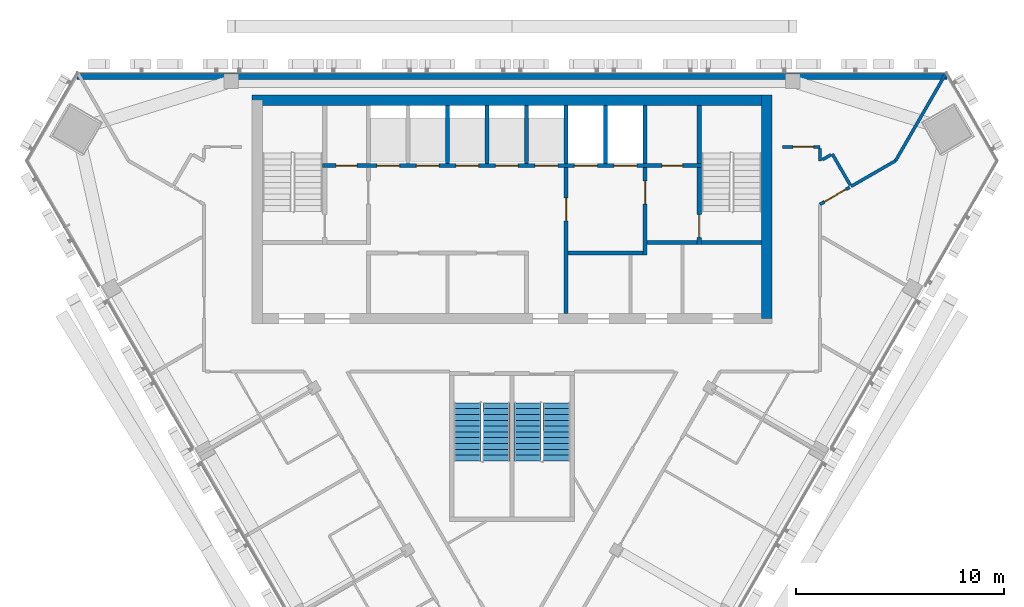
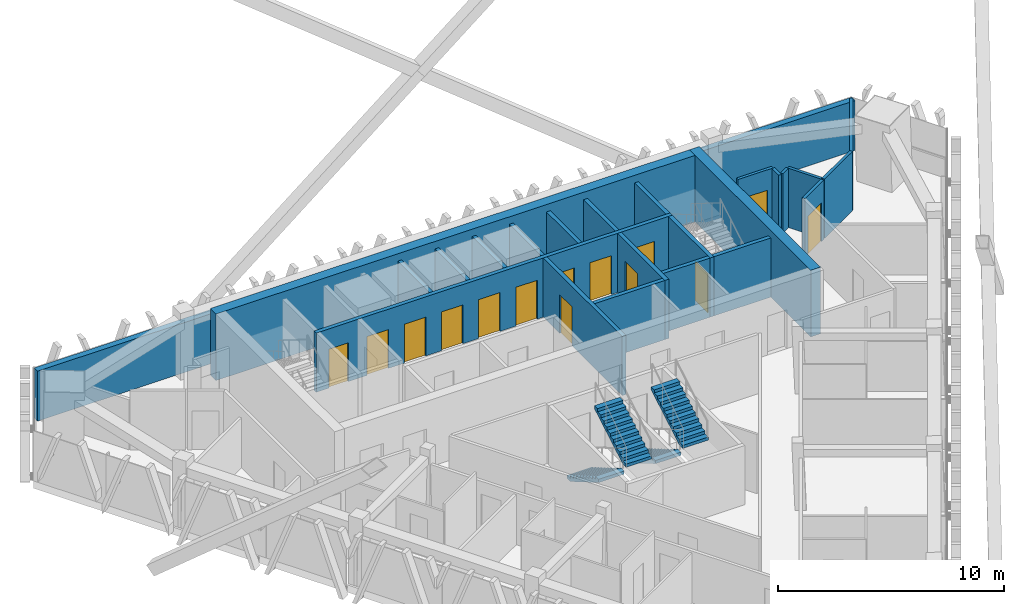
# One storey, part 10 of 14: 24 walls, 14 doors, 4 stair flights, 14 openings, 2 elements without a shape of their own.
"""IFC4 building model written with IfcOpenShell, lengths in metres."""

from ifc_helpers import new_model, si_unit, direction, frame, frame_2d, origin, place, context, subcontext, project, spatial, polyline, rectangle, outline, extrude, material, layer, layer_set, type_object, element, fill, aggregate, save


model = new_model("IFC4")

# Units and contexts
model_context = context("Model", 3, precision=1e-05, world=origin(), true_north=direction((0.0, 1.0)))
body_context = subcontext(model_context, "Body", "Model", "MODEL_VIEW")
ifc_project = project(units=[si_unit("LENGTHUNIT", "METRE"), si_unit("AREAUNIT", "SQUARE_METRE"), si_unit("VOLUMEUNIT", "CUBIC_METRE"), si_unit("PLANEANGLEUNIT", "RADIAN"), si_unit("MASSUNIT", "GRAM", prefix="KILO")], contexts=[model_context])

# Site, building, storey
site_placement = place(None, origin())
site = spatial("IfcSite", under=ifc_project, at=site_placement, CompositionType="ELEMENT")
building_placement = place(site_placement, origin())
building = spatial("IfcBuilding", under=site, at=building_placement, Name="Altiplano Prism Tower", CompositionType="ELEMENT")
storey_placement = place(building_placement, frame((0.0, 0.0, 264.39990234375)))
storey = spatial("IfcBuildingStorey", under=building, at=storey_placement, Name="L68", CompositionType="ELEMENT", Elevation=264.39990234375)

# Walls
ifc_material_1 = material(Name="Concrete C60/75", Category="concrete")
ifc_layer_1 = layer(ifc_material_1, 0.5)
ifc_layer_set_1 = layer_set([ifc_layer_1], Name="Concrete C60/75")
wall_type_1 = type_object("IfcWallType", Name="Core wall 500", PredefinedType="SHEAR", material=ifc_layer_set_1)
wall_1_placement = place(storey_placement, frame((97.25, 93.14990234375, 0.0), z_axis=(0.0, 0.0, 1.0), x_axis=(0.0, 1.0, 0.0)))
element("IfcWall", 1, at=wall_1_placement, inside=storey, type_object=wall_type_1, Name="Core wall E L68", PredefinedType="SHEAR", context=body_context, shape_type="SweptSolid", body=[
    extrude(rectangle(XDim=10.75, YDim=0.5, at=frame_2d((5.375, 0.0))), origin(), (0.0, 0.0, 1.0), 3.60009765625),
])
wall_2_placement = place(storey_placement, frame((97.25, 103.64990234375, 0.0), z_axis=(0.0, 0.0, 1.0), x_axis=(-1.0, 0.0, 0.0)))
element("IfcWall", 2, at=wall_2_placement, inside=storey, type_object=wall_type_1, Name="Core wall N L68", PredefinedType="SHEAR", context=body_context, shape_type="SweptSolid", body=[
    extrude(rectangle(XDim=24.75, YDim=0.5, at=frame_2d((12.375, 0.0))), origin(), (0.0, 0.0, 1.0), 3.60009765625),
])

# Wall, opening, door
ifc_material_2 = material(Name="Plasterboard on steel stud", Category="steel")
ifc_layer_2 = layer(ifc_material_2, 0.14990234375)
ifc_layer_set_2 = layer_set([ifc_layer_2], Name="Plasterboard on steel stud")
wall_type_2 = type_object("IfcWallType", Name="Partition 150 corridor", PredefinedType="PARTITIONING", material=ifc_layer_set_2)
wall_3_placement = place(storey_placement, frame((99.800048828125, 98.6357421875, 0.0), z_axis=(0.0, 0.0, 1.0), x_axis=(0.866072496716, 0.499918423778, 0.0)))
wall_3 = element("IfcWall", 3, at=wall_3_placement, inside=storey, type_object=wall_type_2, Name="Partition P06 L68 012", PredefinedType="PARTITIONING", context=body_context, shape_type="SweptSolid", body=[
    extrude(rectangle(XDim=1.653564453125, YDim=0.14990234375, at=frame_2d((0.82666015625, 0.0))), origin(), (0.0, 0.0, 1.0), 3.2001953125),
])
opening_1_placement = place(wall_3_placement, frame((0.25390625, 0.0, 0.0)))
opening_1 = element("IfcOpeningElement", 4, at=opening_1_placement, cuts=wall_3, Name="Opening D2176", PredefinedType="OPENING", context=body_context, shape_type="SweptSolid", body=[
    extrude(rectangle(XDim=1.199951171875, YDim=2.10009765625, at=frame_2d((0.60009765625, 1.050048828125))), frame((0.0, 0.08544921875, 0.0), z_axis=(0.0, -1.0, 0.0), x_axis=(1.0, 0.0, 0.0)), (0.0, 0.0, 1.0), 0.1708984375),
])
ifc_material_3 = material(Name="Timber", Category="wood")
door_type_1 = type_object("IfcDoorType", Name="Shared room door 1200 x 2100", OperationType="NOTDEFINED", PredefinedType="NOTDEFINED", material=ifc_material_3)
door_1_placement = place(opening_1_placement, origin())
door_1 = element("IfcDoor", 5, at=door_1_placement, inside=storey, type_object=door_type_1, Name="Door D2176", OperationType="SINGLE_SWING_RIGHT", OverallHeight=2.10009765625, OverallWidth=1.199951171875, PredefinedType="NOTDEFINED", context=body_context, shape_type="SweptSolid", body=[
    extrude(rectangle(XDim=1.199951171875, YDim=2.10009765625, at=frame_2d((0.60009765625, 1.050048828125))), frame((0.0, 0.02490234375, 0.0), z_axis=(0.0, -1.0, 0.0), x_axis=(1.0, 0.0, 0.0)), (0.0, 0.0, 1.0), 0.050048828125),
])
fill(opening_1, door_1)

# Walls
wall_4_placement = place(storey_placement, frame((101.259521484375, 99.56494140625, 0.0), z_axis=(0.0, 0.0, 1.0), x_axis=(-0.500020560727, 0.866013532718, 0.0)))
element("IfcWall", 6, at=wall_4_placement, inside=storey, type_object=wall_type_2, Name="Partition P06 L68 017", PredefinedType="PARTITIONING", context=body_context, shape_type="SweptSolid", body=[
    extrude(rectangle(XDim=1.72509765625, YDim=0.14990234375, at=frame_2d((0.862548828125, 0.0))), origin(), (0.0, 0.0, 1.0), 3.2001953125),
])
wall_5_placement = place(storey_placement, frame((100.33203125, 101.021240234375, 0.0), z_axis=(0.0, 0.0, 1.0), x_axis=(-0.866000904559, -0.500042431503, 0.0)))
element("IfcWall", 7, at=wall_5_placement, inside=storey, type_object=wall_type_2, Name="Partition P06 L68 018", PredefinedType="PARTITIONING", context=body_context, shape_type="SweptSolid", body=[
    extrude(rectangle(XDim=0.484375, YDim=0.14990234375, at=frame_2d((0.2421875, 0.0))), origin(), (0.0, 0.0, 1.0), 3.2001953125),
])
wall_6_placement = place(storey_placement, frame((99.800048828125, 100.714111328125, 0.0), z_axis=(0.0, 0.0, 1.0), x_axis=(0.0, 1.0, 0.0)))
element("IfcWall", 8, at=wall_6_placement, inside=storey, type_object=wall_type_2, Name="Partition P06 L68 019", PredefinedType="PARTITIONING", context=body_context, shape_type="SweptSolid", body=[
    extrude(rectangle(XDim=0.61083984375, YDim=0.14990234375, at=frame_2d((0.305419921875, 0.0))), origin(), (0.0, 0.0, 1.0), 3.2001953125),
])

# Wall, opening, door
wall_7_placement = place(storey_placement, frame((99.800048828125, 101.39990234375, 0.0), z_axis=(0.0, 0.0, 1.0), x_axis=(-1.0, 0.0, 0.0)))
wall_7 = element("IfcWall", 9, at=wall_7_placement, inside=storey, type_object=wall_type_2, Name="Partition P06 L68 020", PredefinedType="PARTITIONING", context=body_context, shape_type="SweptSolid", body=[
    extrude(rectangle(XDim=1.800048828125, YDim=0.14990234375, at=frame_2d((0.89990234375, 0.0))), origin(), (0.0, 0.0, 1.0), 3.2001953125),
])
opening_2_placement = place(wall_7_placement, frame((0.297119140625, 0.0, 0.0)))
opening_2 = element("IfcOpeningElement", 10, at=opening_2_placement, cuts=wall_7, Name="Opening D2178", PredefinedType="OPENING", context=body_context, shape_type="SweptSolid", body=[
    extrude(rectangle(XDim=1.0, YDim=2.10009765625, at=frame_2d((0.5, 1.050048828125))), frame((0.0, 0.08544921875, 0.0), z_axis=(0.0, -1.0, 0.0), x_axis=(1.0, 0.0, 0.0)), (0.0, 0.0, 1.0), 0.1708984375),
])
door_type_2 = type_object("IfcDoorType", Name="Room door 1000 x 2100", OperationType="NOTDEFINED", PredefinedType="NOTDEFINED", material=ifc_material_3)
door_2_placement = place(opening_2_placement, origin())
door_2 = element("IfcDoor", 11, at=door_2_placement, inside=storey, type_object=door_type_2, Name="Door D2178", OperationType="SINGLE_SWING_RIGHT", OverallHeight=2.10009765625, OverallWidth=1.0, PredefinedType="NOTDEFINED", context=body_context, shape_type="SweptSolid", body=[
    extrude(rectangle(XDim=1.0, YDim=2.10009765625, at=frame_2d((0.5, 1.050048828125))), frame((0.0, 0.02490234375, 0.0), z_axis=(0.0, -1.0, 0.0), x_axis=(1.0, 0.0, 0.0)), (0.0, 0.0, 1.0), 0.050048828125),
])
fill(opening_2, door_2)

# Walls
ifc_layer_3 = layer(ifc_material_2, 0.14990234375)
ifc_layer_set_3 = layer_set([ifc_layer_3], Name="Plasterboard on steel stud")
wall_type_3 = type_object("IfcWallType", Name="Partition 150 party", PredefinedType="PARTITIONING", material=ifc_layer_set_3)
wall_8_placement = place(storey_placement, frame((105.84130859375, 104.89990234375, 0.0), z_axis=(0.0, 0.0, 1.0), x_axis=(-0.499983211839, -0.866035096217, 0.0)))
element("IfcWall", 12, at=wall_8_placement, inside=storey, type_object=wall_type_3, Name="Partition P01 L68 051", PredefinedType="PARTITIONING", context=body_context, shape_type="SweptSolid", body=[
    extrude(rectangle(XDim=4.808837890625, YDim=0.14990234375, at=frame_2d((2.404296875, 0.0))), origin(), (0.0, 0.0, 1.0), 2.7001953125),
])
wall_9_placement = place(storey_placement, frame((103.43701171875, 100.7353515625, 0.0), z_axis=(0.0, 0.0, 1.0), x_axis=(-0.866045730533, -0.499964791386, 0.0)))
element("IfcWall", 13, at=wall_9_placement, inside=storey, type_object=wall_type_3, Name="Partition P01 L68 052", PredefinedType="PARTITIONING", context=body_context, shape_type="SweptSolid", body=[
    extrude(rectangle(XDim=2.470947265625, YDim=0.14990234375, at=frame_2d((1.2353515625, 0.0))), origin(), (0.0, 0.0, 1.0), 3.2001953125),
])
ifc_layer_4 = layer(ifc_material_1, 0.199951171875)
ifc_layer_set_4 = layer_set([ifc_layer_4], Name="Concrete C60/75")
wall_type_4 = type_object("IfcWallType", Name="Shaft wall 200", PredefinedType="SOLIDWALL", material=ifc_layer_set_4)
for number, where, z_axis, x_axis, name in (
    (14, (81.89990234375, 100.60009765625, 0.0), (0.0, 0.0, 1.0), (0.0, 1.0, 0.0), "Shaft wall L68"),
    (15, (83.800048828125, 100.60009765625, 0.0), (0.0, 0.0, 1.0), (0.0, 1.0, 0.0), "Shaft wall L68"),
    (16, (85.699951171875, 100.60009765625, 0.0), (0.0, 0.0, 1.0), (0.0, 1.0, 0.0), "Shaft wall L68"),
    (17, (87.60009765625, 100.60009765625, 0.0), (0.0, 0.0, 1.0), (0.0, 1.0, 0.0), "Shaft wall L68"),
    (18, (89.5, 100.60009765625, 0.0), (0.0, 0.0, 1.0), (0.0, 1.0, 0.0), "Shaft wall L68"),
    (19, (91.39990234375, 100.60009765625, 0.0), (0.0, 0.0, 1.0), (0.0, 1.0, 0.0), "Shaft wall L68"),
):
    element("IfcWall", number, at=place(storey_placement, frame(where, z_axis=z_axis, x_axis=x_axis)), inside=storey, type_object=wall_type_4, Name=name, PredefinedType="SOLIDWALL", context=body_context, shape_type="SweptSolid", body=[
        extrude(rectangle(XDim=2.7998046875, YDim=0.199951171875, at=frame_2d((1.39990234375, 0.0))), origin(), (0.0, 0.0, 1.0), 3.2001953125),
    ])

# Wall, opening, door
ifc_layer_5 = layer(ifc_material_1, 0.199951171875)
ifc_layer_set_5 = layer_set([ifc_layer_5], Name="Concrete C60/75")
wall_type_5 = type_object("IfcWallType", Name="Stair wall 200", PredefinedType="SOLIDWALL", material=ifc_layer_set_5)
wall_10_placement = place(storey_placement, frame((94.0, 96.699951171875, 0.0), z_axis=(0.0, 0.0, 1.0), x_axis=(0.0, 1.0, 0.0)))
wall_10 = element("IfcWall", 20, at=wall_10_placement, inside=storey, type_object=wall_type_5, Name="Stair wall L68", PredefinedType="SOLIDWALL", context=body_context, shape_type="SweptSolid", body=[
    extrude(rectangle(XDim=3.699951171875, YDim=0.199951171875, at=frame_2d((1.85009765625, 0.0))), origin(), (0.0, 0.0, 1.0), 3.2001953125),
])
opening_3_placement = place(wall_10_placement, frame((0.35009765625, 0.0, 0.0)))
opening_3 = element("IfcOpeningElement", 21, at=opening_3_placement, cuts=wall_10, Name="Opening D3533", PredefinedType="OPENING", context=body_context, shape_type="SweptSolid", body=[
    extrude(rectangle(XDim=1.10009765625, YDim=2.10009765625, at=frame_2d((0.550048828125, 1.050048828125))), frame((0.0, 0.1103515625, 0.0), z_axis=(0.0, -1.0, 0.0), x_axis=(1.0, 0.0, 0.0)), (0.0, 0.0, 1.0), 0.220947265625),
])
ifc_material_4 = material(Name="Fire-rated steel door", Category="steel")
door_type_3 = type_object("IfcDoorType", Name="Stair fire door 1100 x 2100", OperationType="NOTDEFINED", PredefinedType="NOTDEFINED", material=ifc_material_4)
door_3_placement = place(opening_3_placement, origin())
door_3 = element("IfcDoor", 22, at=door_3_placement, inside=storey, type_object=door_type_3, Name="Stair fire door D3533", OperationType="SINGLE_SWING_LEFT", OverallHeight=2.10009765625, OverallWidth=1.10009765625, PredefinedType="NOTDEFINED", context=body_context, shape_type="SweptSolid", body=[
    extrude(rectangle(XDim=1.10009765625, YDim=2.10009765625, at=frame_2d((0.550048828125, 1.050048828125))), frame((0.0, 0.02490234375, 0.0), z_axis=(0.0, -1.0, 0.0), x_axis=(1.0, 0.0, 0.0)), (0.0, 0.0, 1.0), 0.050048828125),
])
fill(opening_3, door_3)

# Wall
wall_11_placement = place(storey_placement, frame((94.10009765625, 96.800048828125, 0.0), z_axis=(0.0, 0.0, 1.0), x_axis=(1.0, 0.0, 0.0)))
element("IfcWall", 23, at=wall_11_placement, inside=storey, type_object=wall_type_5, Name="Stair wall L68", PredefinedType="SOLIDWALL", context=body_context, shape_type="SweptSolid", body=[
    extrude(rectangle(XDim=2.89990234375, YDim=0.199951171875, at=frame_2d((1.449951171875, 0.0))), origin(), (0.0, 0.0, 1.0), 3.2001953125),
])

# Wall, openings, doors
wall_12_placement = place(storey_placement, frame((75.89990234375, 100.5, 0.0), z_axis=(0.0, 0.0, 1.0), x_axis=(1.0, 0.0, 0.0)))
wall_12 = element("IfcWall", 24, at=wall_12_placement, inside=storey, type_object=wall_type_5, Name="Stair wall L68", PredefinedType="SOLIDWALL", context=body_context, shape_type="SweptSolid", body=[
    extrude(rectangle(XDim=18.2001953125, YDim=0.199951171875, at=frame_2d((9.10009765625, 0.0))), origin(), (0.0, 0.0, 1.0), 3.2001953125),
])
opening_4_placement = place(wall_12_placement, frame((2.60009765625, 0.0, 0.0)))
opening_4 = element("IfcOpeningElement", 25, at=opening_4_placement, cuts=wall_12, Name="Opening LD-HL1-L68", PredefinedType="OPENING", context=body_context, shape_type="SweptSolid", body=[
    extrude(rectangle(XDim=1.10009765625, YDim=2.10009765625, at=frame_2d((0.550048828125, 1.050048828125))), frame((0.0, 0.1103515625, 0.0), z_axis=(0.0, -1.0, 0.0), x_axis=(1.0, 0.0, 0.0)), (0.0, 0.0, 1.0), 0.220947265625),
])
opening_5_placement = place(wall_12_placement, frame((4.5, 0.0, 0.0)))
opening_5 = element("IfcOpeningElement", 26, at=opening_5_placement, cuts=wall_12, Name="Opening LD-HL2-L68", PredefinedType="OPENING", context=body_context, shape_type="SweptSolid", body=[
    extrude(rectangle(XDim=1.10009765625, YDim=2.10009765625, at=frame_2d((0.550048828125, 1.050048828125))), frame((0.0, 0.1103515625, 0.0), z_axis=(0.0, -1.0, 0.0), x_axis=(1.0, 0.0, 0.0)), (0.0, 0.0, 1.0), 0.220947265625),
])
opening_6_placement = place(wall_12_placement, frame((6.39990234375, 0.0, 0.0)))
opening_6 = element("IfcOpeningElement", 27, at=opening_6_placement, cuts=wall_12, Name="Opening LD-HL3-L68", PredefinedType="OPENING", context=body_context, shape_type="SweptSolid", body=[
    extrude(rectangle(XDim=1.10009765625, YDim=2.10009765625, at=frame_2d((0.550048828125, 1.050048828125))), frame((0.0, 0.1103515625, 0.0), z_axis=(0.0, -1.0, 0.0), x_axis=(1.0, 0.0, 0.0)), (0.0, 0.0, 1.0), 0.220947265625),
])
opening_7_placement = place(wall_12_placement, frame((8.300048828125, 0.0, 0.0)))
opening_7 = element("IfcOpeningElement", 28, at=opening_7_placement, cuts=wall_12, Name="Opening LD-HL4-L68", PredefinedType="OPENING", context=body_context, shape_type="SweptSolid", body=[
    extrude(rectangle(XDim=1.10009765625, YDim=2.10009765625, at=frame_2d((0.550048828125, 1.050048828125))), frame((0.0, 0.1103515625, 0.0), z_axis=(0.0, -1.0, 0.0), x_axis=(1.0, 0.0, 0.0)), (0.0, 0.0, 1.0), 0.220947265625),
])
opening_8_placement = place(wall_12_placement, frame((10.199951171875, 0.0, 0.0)))
opening_8 = element("IfcOpeningElement", 29, at=opening_8_placement, cuts=wall_12, Name="Opening LD-HL5-L68", PredefinedType="OPENING", context=body_context, shape_type="SweptSolid", body=[
    extrude(rectangle(XDim=1.10009765625, YDim=2.10009765625, at=frame_2d((0.550048828125, 1.050048828125))), frame((0.0, 0.1103515625, 0.0), z_axis=(0.0, -1.0, 0.0), x_axis=(1.0, 0.0, 0.0)), (0.0, 0.0, 1.0), 0.220947265625),
])
opening_9_placement = place(wall_12_placement, frame((12.10009765625, 0.0, 0.0)))
opening_9 = element("IfcOpeningElement", 30, at=opening_9_placement, cuts=wall_12, Name="Opening LD-FF1-L68", PredefinedType="OPENING", context=body_context, shape_type="SweptSolid", body=[
    extrude(rectangle(XDim=1.10009765625, YDim=2.10009765625, at=frame_2d((0.550048828125, 1.050048828125))), frame((0.0, 0.1103515625, 0.0), z_axis=(0.0, -1.0, 0.0), x_axis=(1.0, 0.0, 0.0)), (0.0, 0.0, 1.0), 0.220947265625),
])
opening_10_placement = place(wall_12_placement, frame((14.0, 0.0, 0.0)))
opening_10 = element("IfcOpeningElement", 31, at=opening_10_placement, cuts=wall_12, Name="Opening LD-FF2-L68", PredefinedType="OPENING", context=body_context, shape_type="SweptSolid", body=[
    extrude(rectangle(XDim=1.10009765625, YDim=2.10009765625, at=frame_2d((0.550048828125, 1.050048828125))), frame((0.0, 0.1103515625, 0.0), z_axis=(0.0, -1.0, 0.0), x_axis=(1.0, 0.0, 0.0)), (0.0, 0.0, 1.0), 0.220947265625),
])
opening_11_placement = place(wall_12_placement, frame((0.64990234375, 0.0, 0.0)))
opening_11 = element("IfcOpeningElement", 32, at=opening_11_placement, cuts=wall_12, Name="Opening D3540", PredefinedType="OPENING", context=body_context, shape_type="SweptSolid", body=[
    extrude(rectangle(XDim=1.0, YDim=2.10009765625, at=frame_2d((0.5, 1.050048828125))), frame((0.0, 0.1103515625, 0.0), z_axis=(0.0, -1.0, 0.0), x_axis=(1.0, 0.0, 0.0)), (0.0, 0.0, 1.0), 0.220947265625),
])
opening_12_placement = place(wall_12_placement, frame((16.300048828125, 0.0, 0.0)))
opening_12 = element("IfcOpeningElement", 33, at=opening_12_placement, cuts=wall_12, Name="Opening D3541", PredefinedType="OPENING", context=body_context, shape_type="SweptSolid", body=[
    extrude(rectangle(XDim=1.0, YDim=2.10009765625, at=frame_2d((0.5, 1.050048828125))), frame((0.0, 0.1103515625, 0.0), z_axis=(0.0, -1.0, 0.0), x_axis=(1.0, 0.0, 0.0)), (0.0, 0.0, 1.0), 0.220947265625),
])
door_type_4 = type_object("IfcDoorType", Name="Core room door 1000 x 2100", OperationType="NOTDEFINED", PredefinedType="NOTDEFINED", material=ifc_material_4)
door_4_placement = place(opening_11_placement, origin())
door_4 = element("IfcDoor", 34, at=door_4_placement, inside=storey, type_object=door_type_4, Name="Core room door D3540", OperationType="SINGLE_SWING_LEFT", OverallHeight=2.10009765625, OverallWidth=1.0, PredefinedType="NOTDEFINED", context=body_context, shape_type="SweptSolid", body=[
    extrude(rectangle(XDim=1.0, YDim=2.10009765625, at=frame_2d((0.5, 1.050048828125))), frame((0.0, 0.02490234375, 0.0), z_axis=(0.0, -1.0, 0.0), x_axis=(1.0, 0.0, 0.0)), (0.0, 0.0, 1.0), 0.050048828125),
])
fill(opening_11, door_4)
door_5_placement = place(opening_12_placement, origin())
door_5 = element("IfcDoor", 35, at=door_5_placement, inside=storey, type_object=door_type_4, Name="Core room door D3541", OperationType="SINGLE_SWING_RIGHT", OverallHeight=2.10009765625, OverallWidth=1.0, PredefinedType="NOTDEFINED", context=body_context, shape_type="SweptSolid", body=[
    extrude(rectangle(XDim=1.0, YDim=2.10009765625, at=frame_2d((0.5, 1.050048828125))), frame((0.0, 0.02490234375, 0.0), z_axis=(0.0, -1.0, 0.0), x_axis=(1.0, 0.0, 0.0)), (0.0, 0.0, 1.0), 0.050048828125),
])
fill(opening_12, door_5)
ifc_material_5 = material(Name="Stainless steel landing door", Category="steel")
door_type_5 = type_object("IfcDoorType", Name="Landing door 1100 x 2100", OperationType="NOTDEFINED", PredefinedType="NOTDEFINED", material=ifc_material_5)
door_6_placement = place(opening_4_placement, origin())
door_6 = element("IfcDoor", 36, at=door_6_placement, inside=storey, type_object=door_type_5, Name="Landing doors HL1", OperationType="SLIDING_TO_RIGHT", OverallHeight=2.10009765625, OverallWidth=1.10009765625, PredefinedType="NOTDEFINED", context=body_context, shape_type="SweptSolid", body=[
    extrude(rectangle(XDim=1.10009765625, YDim=2.10009765625, at=frame_2d((0.550048828125, 1.050048828125))), frame((0.0, 0.02490234375, 0.0), z_axis=(0.0, -1.0, 0.0), x_axis=(1.0, 0.0, 0.0)), (0.0, 0.0, 1.0), 0.050048828125),
])
fill(opening_4, door_6)
door_7_placement = place(opening_5_placement, origin())
door_7 = element("IfcDoor", 37, at=door_7_placement, inside=storey, type_object=door_type_5, Name="Landing doors HL2", OperationType="SLIDING_TO_LEFT", OverallHeight=2.10009765625, OverallWidth=1.10009765625, PredefinedType="NOTDEFINED", context=body_context, shape_type="SweptSolid", body=[
    extrude(rectangle(XDim=1.10009765625, YDim=2.10009765625, at=frame_2d((0.550048828125, 1.050048828125))), frame((0.0, 0.02490234375, 0.0), z_axis=(0.0, -1.0, 0.0), x_axis=(1.0, 0.0, 0.0)), (0.0, 0.0, 1.0), 0.050048828125),
])
fill(opening_5, door_7)
door_8_placement = place(opening_6_placement, origin())
door_8 = element("IfcDoor", 38, at=door_8_placement, inside=storey, type_object=door_type_5, Name="Landing doors HL3", OperationType="SLIDING_TO_RIGHT", OverallHeight=2.10009765625, OverallWidth=1.10009765625, PredefinedType="NOTDEFINED", context=body_context, shape_type="SweptSolid", body=[
    extrude(rectangle(XDim=1.10009765625, YDim=2.10009765625, at=frame_2d((0.550048828125, 1.050048828125))), frame((0.0, 0.02490234375, 0.0), z_axis=(0.0, -1.0, 0.0), x_axis=(1.0, 0.0, 0.0)), (0.0, 0.0, 1.0), 0.050048828125),
])
fill(opening_6, door_8)
door_9_placement = place(opening_7_placement, origin())
door_9 = element("IfcDoor", 39, at=door_9_placement, inside=storey, type_object=door_type_5, Name="Landing doors HL4", OperationType="SLIDING_TO_LEFT", OverallHeight=2.10009765625, OverallWidth=1.10009765625, PredefinedType="NOTDEFINED", context=body_context, shape_type="SweptSolid", body=[
    extrude(rectangle(XDim=1.10009765625, YDim=2.10009765625, at=frame_2d((0.550048828125, 1.050048828125))), frame((0.0, 0.02490234375, 0.0), z_axis=(0.0, -1.0, 0.0), x_axis=(1.0, 0.0, 0.0)), (0.0, 0.0, 1.0), 0.050048828125),
])
fill(opening_7, door_9)
door_10_placement = place(opening_8_placement, origin())
door_10 = element("IfcDoor", 40, at=door_10_placement, inside=storey, type_object=door_type_5, Name="Landing doors HL5", OperationType="SLIDING_TO_RIGHT", OverallHeight=2.10009765625, OverallWidth=1.10009765625, PredefinedType="NOTDEFINED", context=body_context, shape_type="SweptSolid", body=[
    extrude(rectangle(XDim=1.10009765625, YDim=2.10009765625, at=frame_2d((0.550048828125, 1.050048828125))), frame((0.0, 0.02490234375, 0.0), z_axis=(0.0, -1.0, 0.0), x_axis=(1.0, 0.0, 0.0)), (0.0, 0.0, 1.0), 0.050048828125),
])
fill(opening_8, door_10)
door_11_placement = place(opening_9_placement, origin())
door_11 = element("IfcDoor", 41, at=door_11_placement, inside=storey, type_object=door_type_5, Name="Landing doors FF1", OperationType="SLIDING_TO_RIGHT", OverallHeight=2.10009765625, OverallWidth=1.10009765625, PredefinedType="NOTDEFINED", context=body_context, shape_type="SweptSolid", body=[
    extrude(rectangle(XDim=1.10009765625, YDim=2.10009765625, at=frame_2d((0.550048828125, 1.050048828125))), frame((0.0, 0.02490234375, 0.0), z_axis=(0.0, -1.0, 0.0), x_axis=(1.0, 0.0, 0.0)), (0.0, 0.0, 1.0), 0.050048828125),
])
fill(opening_9, door_11)
door_12_placement = place(opening_10_placement, origin())
door_12 = element("IfcDoor", 42, at=door_12_placement, inside=storey, type_object=door_type_5, Name="Landing doors FF2", OperationType="SLIDING_TO_LEFT", OverallHeight=2.10009765625, OverallWidth=1.10009765625, PredefinedType="NOTDEFINED", context=body_context, shape_type="SweptSolid", body=[
    extrude(rectangle(XDim=1.10009765625, YDim=2.10009765625, at=frame_2d((0.550048828125, 1.050048828125))), frame((0.0, 0.02490234375, 0.0), z_axis=(0.0, -1.0, 0.0), x_axis=(1.0, 0.0, 0.0)), (0.0, 0.0, 1.0), 0.050048828125),
])
fill(opening_10, door_12)

# Walls
wall_13_placement = place(storey_placement, frame((94.0, 100.60009765625, 0.0), z_axis=(0.0, 0.0, 1.0), x_axis=(0.0, 1.0, 0.0)))
element("IfcWall", 43, at=wall_13_placement, inside=storey, type_object=wall_type_5, Name="Stair wall L68", PredefinedType="SOLIDWALL", context=body_context, shape_type="SweptSolid", body=[
    extrude(rectangle(XDim=2.7998046875, YDim=0.199951171875, at=frame_2d((1.39990234375, 0.0))), origin(), (0.0, 0.0, 1.0), 3.2001953125),
])
ifc_material_6 = material(Name="Concrete C40", Category="concrete")
ifc_layer_6 = layer(ifc_material_6, 0.300048828125)
ifc_layer_set_6 = layer_set([ifc_layer_6], Name="Concrete C40")
wall_type_6 = type_object("IfcWallType", Name="Stone-clad external wall 300", PredefinedType="SOLIDWALL", material=ifc_layer_set_6)
wall_14_placement = place(storey_placement, frame((64.100830078125, 104.7900390625, 0.0), z_axis=(0.0, 0.0, 1.0), x_axis=(1.0, 0.0, 0.0)))
element("IfcWall", 44, at=wall_14_placement, inside=storey, type_object=wall_type_6, Name="External wall north face L68", PredefinedType="SOLIDWALL", context=body_context, shape_type="SweptSolid", body=[
    extrude(rectangle(XDim=41.79833984375, YDim=0.300048828125, at=frame_2d((20.899169921875, 0.0))), origin(), (0.0, 0.0, 1.0), 2.7001953125),
])

# Wall, opening, door
ifc_layer_7 = layer(ifc_material_1, 0.199951171875)
ifc_layer_set_7 = layer_set([ifc_layer_7], Name="Concrete C60/75")
wall_type_7 = type_object("IfcWallType", Name="Vestibule wall 200", PredefinedType="PARTITIONING", material=ifc_layer_set_7)
wall_15_placement = place(storey_placement, frame((87.60009765625, 93.39990234375, 0.0), z_axis=(0.0, 0.0, 1.0), x_axis=(0.0, 1.0, 0.0)))
wall_15 = element("IfcWall", 45, at=wall_15_placement, inside=storey, type_object=wall_type_7, Name="Vestibule wall L68", PredefinedType="PARTITIONING", context=body_context, shape_type="SweptSolid", body=[
    extrude(rectangle(XDim=7.0, YDim=0.199951171875, at=frame_2d((3.5, 0.0))), origin(), (0.0, 0.0, 1.0), 3.2001953125),
])
opening_13_placement = place(wall_15_placement, frame((4.449951171875, 0.0, 0.0)))
opening_13 = element("IfcOpeningElement", 46, at=opening_13_placement, cuts=wall_15, Name="Opening D3535", PredefinedType="OPENING", context=body_context, shape_type="SweptSolid", body=[
    extrude(rectangle(XDim=1.10009765625, YDim=2.10009765625, at=frame_2d((0.550048828125, 1.050048828125))), frame((0.0, 0.1103515625, 0.0), z_axis=(0.0, -1.0, 0.0), x_axis=(1.0, 0.0, 0.0)), (0.0, 0.0, 1.0), 0.220947265625),
])
door_type_6 = type_object("IfcDoorType", Name="Vestibule fire door 1100 x 2100", OperationType="NOTDEFINED", PredefinedType="NOTDEFINED", material=ifc_material_4)
door_13_placement = place(opening_13_placement, origin())
door_13 = element("IfcDoor", 47, at=door_13_placement, inside=storey, type_object=door_type_6, Name="Vestibule fire door D3535", OperationType="SINGLE_SWING_RIGHT", OverallHeight=2.10009765625, OverallWidth=1.10009765625, PredefinedType="NOTDEFINED", context=body_context, shape_type="SweptSolid", body=[
    extrude(rectangle(XDim=1.10009765625, YDim=2.10009765625, at=frame_2d((0.550048828125, 1.050048828125))), frame((0.0, 0.02490234375, 0.0), z_axis=(0.0, -1.0, 0.0), x_axis=(1.0, 0.0, 0.0)), (0.0, 0.0, 1.0), 0.050048828125),
])
fill(opening_13, door_13)

# Wall
wall_16_placement = place(storey_placement, frame((87.699951171875, 96.300048828125, 0.0), z_axis=(0.0, 0.0, 1.0), x_axis=(1.0, 0.0, 0.0)))
element("IfcWall", 48, at=wall_16_placement, inside=storey, type_object=wall_type_7, Name="Vestibule wall L68", PredefinedType="PARTITIONING", context=body_context, shape_type="SweptSolid", body=[
    extrude(rectangle(XDim=3.60009765625, YDim=0.199951171875, at=frame_2d((1.800048828125, 0.0))), origin(), (0.0, 0.0, 1.0), 3.2001953125),
])

# Wall, opening, door
wall_17_placement = place(storey_placement, frame((91.39990234375, 96.199951171875, 0.0), z_axis=(0.0, 0.0, 1.0), x_axis=(0.0, 1.0, 0.0)))
wall_17 = element("IfcWall", 49, at=wall_17_placement, inside=storey, type_object=wall_type_7, Name="Vestibule wall L68", PredefinedType="PARTITIONING", context=body_context, shape_type="SweptSolid", body=[
    extrude(rectangle(XDim=4.199951171875, YDim=0.199951171875, at=frame_2d((2.10009765625, 0.0))), origin(), (0.0, 0.0, 1.0), 3.2001953125),
])
opening_14_placement = place(wall_17_placement, frame((2.449951171875, 0.0, 0.0)))
opening_14 = element("IfcOpeningElement", 50, at=opening_14_placement, cuts=wall_17, Name="Opening D3536", PredefinedType="OPENING", context=body_context, shape_type="SweptSolid", body=[
    extrude(rectangle(XDim=1.10009765625, YDim=2.10009765625, at=frame_2d((0.550048828125, 1.050048828125))), frame((0.0, 0.1103515625, 0.0), z_axis=(0.0, -1.0, 0.0), x_axis=(1.0, 0.0, 0.0)), (0.0, 0.0, 1.0), 0.220947265625),
])
door_14_placement = place(opening_14_placement, origin())
door_14 = element("IfcDoor", 51, at=door_14_placement, inside=storey, type_object=door_type_6, Name="Vestibule fire door D3536", OperationType="SINGLE_SWING_LEFT", OverallHeight=2.10009765625, OverallWidth=1.10009765625, PredefinedType="NOTDEFINED", context=body_context, shape_type="SweptSolid", body=[
    extrude(rectangle(XDim=1.10009765625, YDim=2.10009765625, at=frame_2d((0.550048828125, 1.050048828125))), frame((0.0, 0.02490234375, 0.0), z_axis=(0.0, -1.0, 0.0), x_axis=(1.0, 0.0, 0.0)), (0.0, 0.0, 1.0), 0.050048828125),
])
fill(opening_14, door_14)

# Wall
wall_18_placement = place(storey_placement, frame((91.5, 96.800048828125, 0.0), z_axis=(0.0, 0.0, 1.0), x_axis=(1.0, 0.0, 0.0)))
element("IfcWall", 52, at=wall_18_placement, inside=storey, type_object=wall_type_7, Name="Vestibule wall L68", PredefinedType="PARTITIONING", context=body_context, shape_type="SweptSolid", body=[
    extrude(rectangle(XDim=2.39990234375, YDim=0.199951171875, at=frame_2d((1.199951171875, 0.0))), origin(), (0.0, 0.0, 1.0), 3.2001953125),
])

# Stair, stair flights
ifc_material_7 = material(Name="Concrete C40/50", Category="concrete")
stair_type = type_object("IfcStairType", Name="Exit stair 1300", PredefinedType="HALF_TURN_STAIR", material=ifc_material_7)
stair_1_placement = place(storey_placement, origin())
stair_1 = element("IfcStair", 53, at=stair_1_placement, inside=storey, type_object=stair_type, Name="L68 Exit Stair 3A", PredefinedType="HALF_TURN_STAIR")
stair_flight_type = type_object("IfcStairFlightType", Name="Stair flight concrete 150", PredefinedType="STRAIGHT", material=ifc_material_7)
stair_flight_1_placement = place(storey_placement, frame((82.85009765625, 89.10009765625, 0.0), z_axis=(0.0, 0.0, 1.0), x_axis=(0.0, -1.0, 0.0)))
stair_flight_1 = element("IfcStairFlight", 54, at=stair_flight_1_placement, type_object=stair_flight_type, Name="ST3A flight 1", NumberOfRisers=11, NumberOfTreads=10, PredefinedType="STRAIGHT", RiserHeight=0.163636364, TreadLength=0.28, context=body_context, shape_type="SweptSolid", body=[
    extrude(outline(polyline([(0.0, 0.0), (0.0, 0.16357421875), (0.280029296875, 0.16357421875), (0.280029296875, 0.327392578125), (0.56005859375, 0.327392578125), (0.56005859375, 0.490966796875), (0.840087890625, 0.490966796875), (0.840087890625, 0.654541015625), (1.1201171875, 0.654541015625), (1.1201171875, 0.818115234375), (1.39990234375, 0.818115234375), (1.39990234375, 0.98193359375), (1.679931640625, 0.98193359375), (1.679931640625, 1.1455078125), (1.9599609375, 1.1455078125), (1.9599609375, 1.30908203125), (2.239990234375, 1.30908203125), (2.239990234375, 1.47265625), (2.52001953125, 1.47265625), (2.52001953125, 1.636474609375), (2.800048828125, 1.636474609375), (2.800048828125, 1.800048828125), (2.800048828125, 1.462646484375), (0.297119140625, 0.0), (0.0, 0.0)])), frame((0.0, 0.64990234375, 0.0), z_axis=(0.0, -1.0, 0.0), x_axis=(1.0, 0.0, 0.0)), (0.0, 0.0, 1.0), 1.300048828125),
])
stair_flight_2_placement = place(storey_placement, frame((84.25, 86.300048828125, 1.800048828125), z_axis=(0.0, 0.0, 1.0), x_axis=(0.0, 1.0, 0.0)))
stair_flight_2 = element("IfcStairFlight", 55, at=stair_flight_2_placement, type_object=stair_flight_type, Name="ST3A flight 2", NumberOfRisers=11, NumberOfTreads=10, PredefinedType="STRAIGHT", RiserHeight=0.163636364, TreadLength=0.28, context=body_context, shape_type="SweptSolid", body=[
    extrude(outline(polyline([(0.0, 0.0), (0.0, 0.16357421875), (0.280029296875, 0.16357421875), (0.280029296875, 0.327392578125), (0.56005859375, 0.327392578125), (0.56005859375, 0.490966796875), (0.840087890625, 0.490966796875), (0.840087890625, 0.654541015625), (1.1201171875, 0.654541015625), (1.1201171875, 0.818115234375), (1.39990234375, 0.818115234375), (1.39990234375, 0.98193359375), (1.679931640625, 0.98193359375), (1.679931640625, 1.1455078125), (1.9599609375, 1.1455078125), (1.9599609375, 1.30908203125), (2.239990234375, 1.30908203125), (2.239990234375, 1.47265625), (2.52001953125, 1.47265625), (2.52001953125, 1.636474609375), (2.800048828125, 1.636474609375), (2.800048828125, 1.800048828125), (2.800048828125, 1.462646484375), (0.297119140625, 0.0), (0.0, 0.0)])), frame((0.0, 0.64990234375, 0.0), z_axis=(0.0, -1.0, 0.0), x_axis=(1.0, 0.0, 0.0)), (0.0, 0.0, 1.0), 1.300048828125),
])
aggregate(stair_1, [stair_flight_1, stair_flight_2])

stair_2_placement = place(storey_placement, origin())
stair_2 = element("IfcStair", 56, at=stair_2_placement, inside=storey, type_object=stair_type, Name="L68 Exit Stair 3B", PredefinedType="HALF_TURN_STAIR")
stair_flight_3_placement = place(storey_placement, frame((85.75, 89.10009765625, 0.0), z_axis=(0.0, 0.0, 1.0), x_axis=(0.0, -1.0, 0.0)))
stair_flight_3 = element("IfcStairFlight", 57, at=stair_flight_3_placement, type_object=stair_flight_type, Name="ST3B flight 1", NumberOfRisers=11, NumberOfTreads=10, PredefinedType="STRAIGHT", RiserHeight=0.163636364, TreadLength=0.28, context=body_context, shape_type="SweptSolid", body=[
    extrude(outline(polyline([(0.0, 0.0), (0.0, 0.16357421875), (0.280029296875, 0.16357421875), (0.280029296875, 0.327392578125), (0.56005859375, 0.327392578125), (0.56005859375, 0.490966796875), (0.840087890625, 0.490966796875), (0.840087890625, 0.654541015625), (1.1201171875, 0.654541015625), (1.1201171875, 0.818115234375), (1.39990234375, 0.818115234375), (1.39990234375, 0.98193359375), (1.679931640625, 0.98193359375), (1.679931640625, 1.1455078125), (1.9599609375, 1.1455078125), (1.9599609375, 1.30908203125), (2.239990234375, 1.30908203125), (2.239990234375, 1.47265625), (2.52001953125, 1.47265625), (2.52001953125, 1.636474609375), (2.800048828125, 1.636474609375), (2.800048828125, 1.800048828125), (2.800048828125, 1.462646484375), (0.297119140625, 0.0), (0.0, 0.0)])), frame((0.0, 0.64990234375, 0.0), z_axis=(0.0, -1.0, 0.0), x_axis=(1.0, 0.0, 0.0)), (0.0, 0.0, 1.0), 1.300048828125),
])
stair_flight_4_placement = place(storey_placement, frame((87.14990234375, 86.300048828125, 1.800048828125), z_axis=(0.0, 0.0, 1.0), x_axis=(0.0, 1.0, 0.0)))
stair_flight_4 = element("IfcStairFlight", 58, at=stair_flight_4_placement, type_object=stair_flight_type, Name="ST3B flight 2", NumberOfRisers=11, NumberOfTreads=10, PredefinedType="STRAIGHT", RiserHeight=0.163636364, TreadLength=0.28, context=body_context, shape_type="SweptSolid", body=[
    extrude(outline(polyline([(0.0, 0.0), (0.0, 0.16357421875), (0.280029296875, 0.16357421875), (0.280029296875, 0.327392578125), (0.56005859375, 0.327392578125), (0.56005859375, 0.490966796875), (0.840087890625, 0.490966796875), (0.840087890625, 0.654541015625), (1.1201171875, 0.654541015625), (1.1201171875, 0.818115234375), (1.39990234375, 0.818115234375), (1.39990234375, 0.98193359375), (1.679931640625, 0.98193359375), (1.679931640625, 1.1455078125), (1.9599609375, 1.1455078125), (1.9599609375, 1.30908203125), (2.239990234375, 1.30908203125), (2.239990234375, 1.47265625), (2.52001953125, 1.47265625), (2.52001953125, 1.636474609375), (2.800048828125, 1.636474609375), (2.800048828125, 1.800048828125), (2.800048828125, 1.462646484375), (0.297119140625, 0.0), (0.0, 0.0)])), frame((0.0, 0.64990234375, 0.0), z_axis=(0.0, -1.0, 0.0), x_axis=(1.0, 0.0, 0.0)), (0.0, 0.0, 1.0), 1.300048828125),
])
aggregate(stair_2, [stair_flight_3, stair_flight_4])

save(model, "model.ifc")
